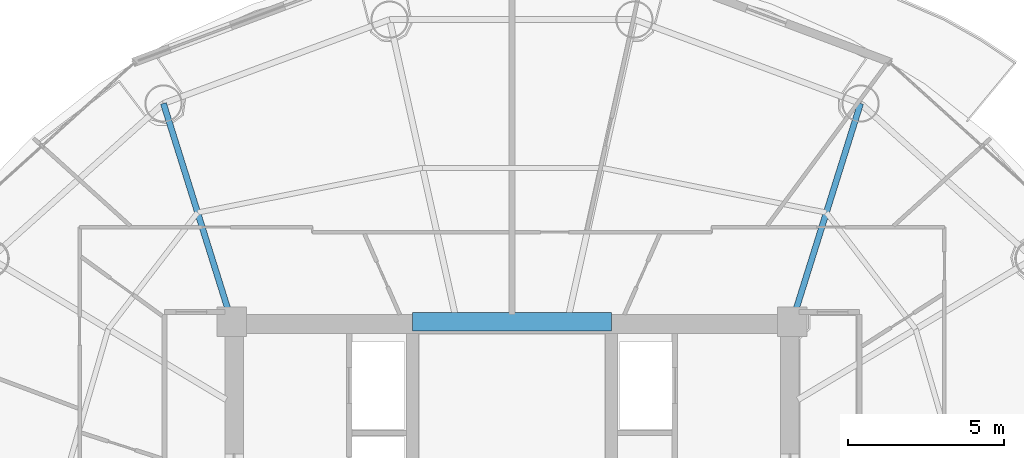
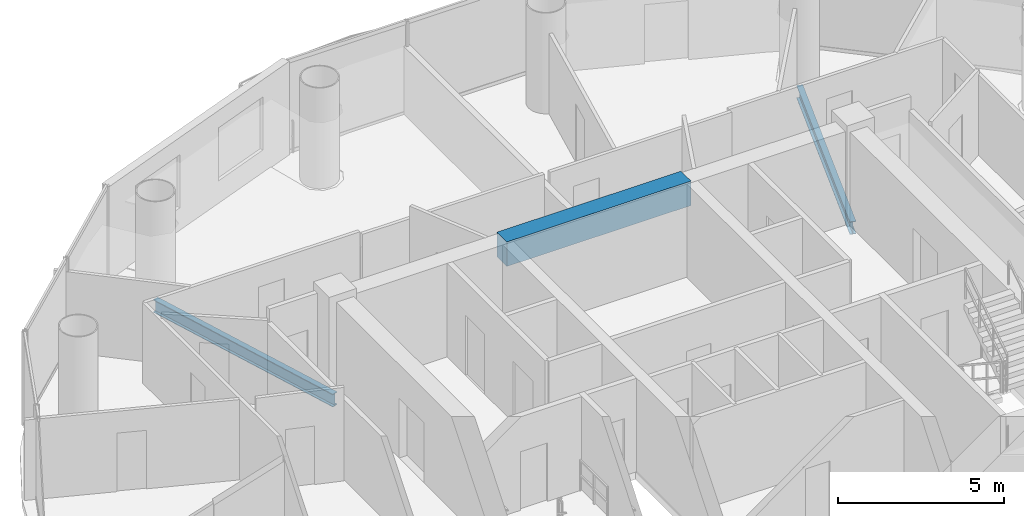
# One storey, part 9 of 27: 3 beams.
"""IFC4 building model written with IfcOpenShell, lengths in metres."""

from ifc_helpers import new_model, si_unit, direction, frame, origin, origin_2d, place, context, subcontext, project, spatial, rectangle, i_section, extrude, material, material_profile, profile_set, type_object, element, save


model = new_model("IFC4")

# Units and contexts
model_context = context("Model", 3, precision=1e-05, world=origin(), true_north=direction((-0.2419218956, 0.970295726276)))
body_context = subcontext(model_context, "Body", "Model", "MODEL_VIEW")
ifc_project = project(units=[si_unit("LENGTHUNIT", "METRE"), si_unit("AREAUNIT", "SQUARE_METRE"), si_unit("VOLUMEUNIT", "CUBIC_METRE"), si_unit("PLANEANGLEUNIT", "RADIAN"), si_unit("MASSUNIT", "GRAM", prefix="KILO")], contexts=[model_context])

# Site, building, storey
site_placement = place(None, origin())
site = spatial("IfcSite", under=ifc_project, at=site_placement, CompositionType="ELEMENT")
building_placement = place(site_placement, origin())
building = spatial("IfcBuilding", under=site, at=building_placement, Name="Cobrevalo Terracotta Tower", CompositionType="ELEMENT")
storey_placement = place(building_placement, frame((0.0, 0.0, 198.60009765625)))
storey = spatial("IfcBuildingStorey", under=building, at=storey_placement, Name="L52", CompositionType="ELEMENT", Elevation=198.60009765625)

# Beams
ifc_material_1 = material(Name="Concrete C60", Category="concrete")
ifc_material_profile_1 = material_profile(ifc_material_1, rectangle(XDim=0.60009765625, YDim=0.89990234375, at=origin_2d()), Name="RC CB 600x900")
ifc_profile_set_1 = profile_set([ifc_material_profile_1], Name="Concrete C60")
beam_type_1 = type_object("IfcBeamType", Name="Structural Beam RC CB 600x900 (Concrete C60)", PredefinedType="BEAM", material=ifc_profile_set_1)
beam_placement = place(storey_placement, frame((34.800048828125, 34.800048828125, 2.98486328125), z_axis=(1.0, 0.0, 0.0), x_axis=(0.0, 1.0, 0.0)))
element("IfcBeam", 1, at=beam_placement, inside=storey, type_object=beam_type_1, Name="L52 core coupling beam 2", PredefinedType="BEAM", context=body_context, shape_type="SweptSolid", body=[
    extrude(rectangle(XDim=0.60009765625, YDim=0.89990234375, at=origin_2d()), origin(), (0.0, 0.0, 1.0), 6.39990234375),
])
ifc_material_2 = material(Name="Steel S355", Category="steel")
ifc_material_profile_2 = material_profile(ifc_material_2, i_section(OverallWidth=0.194091796875, OverallDepth=0.468994140625, WebThickness=0.011474609375, FlangeThickness=0.0205078125, at=origin_2d()), Name="W 460x106")
ifc_profile_set_2 = profile_set([ifc_material_profile_2], Name="Steel S355")
beam_type_2 = type_object("IfcBeamType", Name="Structural Beam W 460x106 (Steel S355)", PredefinedType="BEAM", material=ifc_profile_set_2)
for number, where, z_axis, x_axis, name in (
    (2, (49.19482421875, 41.80810546875, -0.49951171875), (-0.298871212691, -0.954293454984, 0.0), (0.954293454984, -0.298871212691, 0.0), "L52 radial floor girder 03"),
    (3, (26.80517578125, 41.80810546875, -0.49951171875), (0.298871212691, -0.954293454984, 0.0), (0.954293454984, 0.298871212691, 0.0), "L52 radial floor girder 06"),
):
    element("IfcBeam", number, at=place(storey_placement, frame(where, z_axis=z_axis, x_axis=x_axis)), inside=storey, type_object=beam_type_2, Name=name, PredefinedType="BEAM", context=body_context, shape_type="SweptSolid", body=[
        extrude(i_section(OverallWidth=0.194091796875, OverallDepth=0.468994140625, WebThickness=0.011474609375, FlangeThickness=0.0205078125, at=origin_2d()), origin(), (0.0, 0.0, 1.0), 7.34375),
    ])

save(model, "model.ifc")
